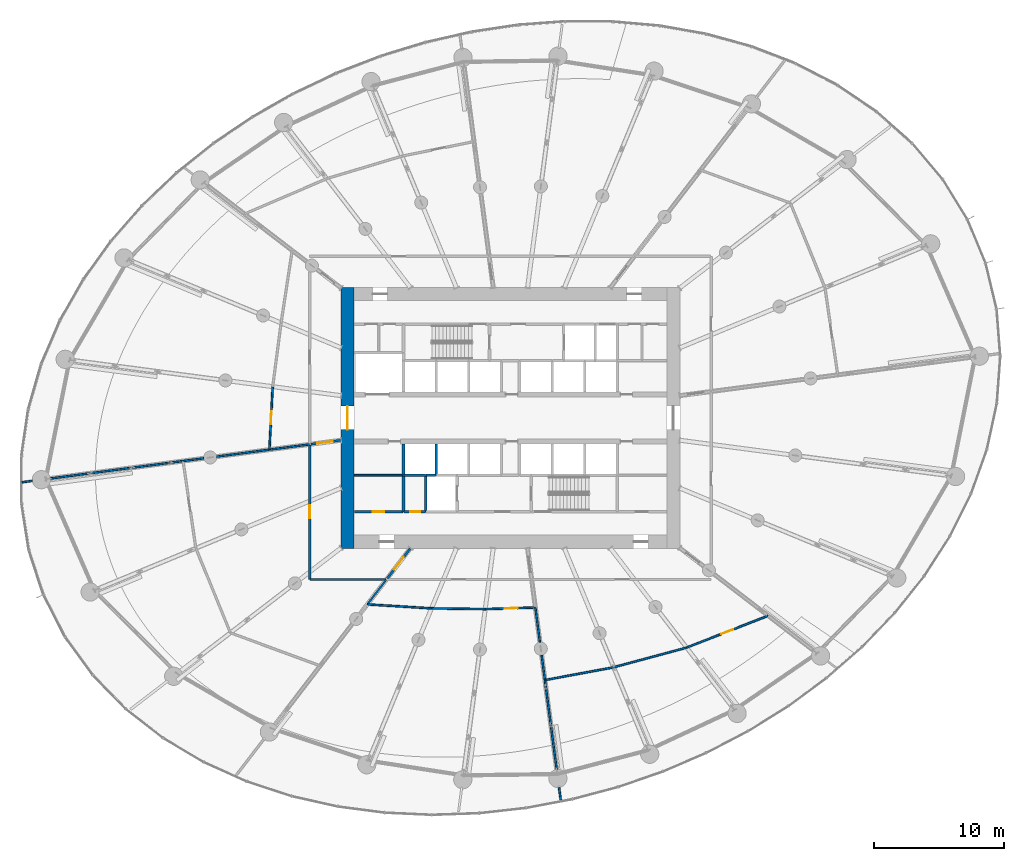
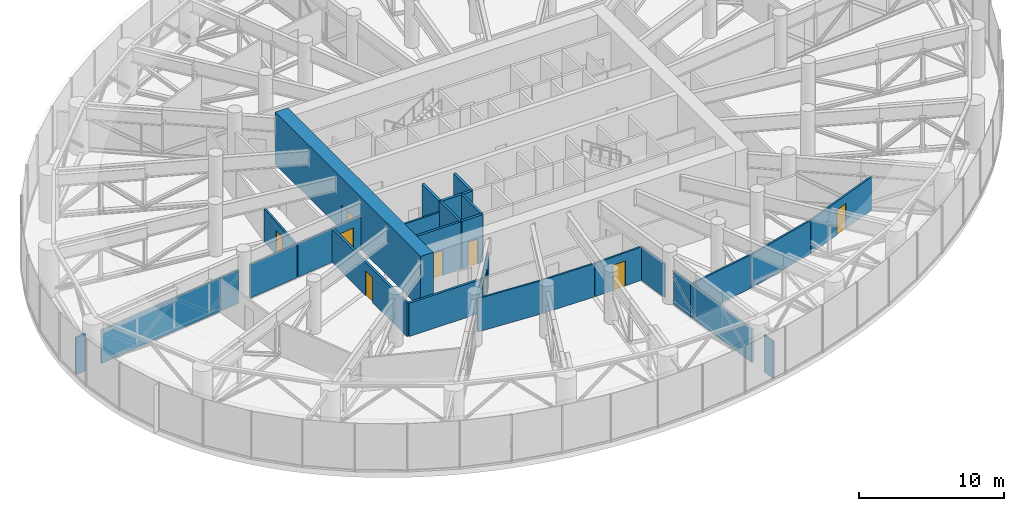
# One storey, part 21 of 42: 31 walls, 9 doors, 9 openings.
"""IFC4 building model written with IfcOpenShell, lengths in metres."""

from ifc_helpers import new_model, si_unit, direction, frame, frame_2d, origin, place, context, subcontext, project, spatial, rectangle, extrude, source, transform, mapped, material, layer, layer_set, type_object, element, fill, save


model = new_model("IFC4")

# Units and contexts
model_context = context("Model", 3, precision=1e-05, world=origin(), true_north=direction((0.0, 1.0)))
body_context = subcontext(model_context, "Body", "Model", "MODEL_VIEW")
ifc_project = project(units=[si_unit("LENGTHUNIT", "METRE"), si_unit("AREAUNIT", "SQUARE_METRE"), si_unit("VOLUMEUNIT", "CUBIC_METRE"), si_unit("PLANEANGLEUNIT", "RADIAN"), si_unit("MASSUNIT", "GRAM", prefix="KILO")], contexts=[model_context])

# Site, building, storey
site_placement = place(None, origin())
site = spatial("IfcSite", under=ifc_project, at=site_placement, CompositionType="ELEMENT")
building_placement = place(site_placement, origin())
building = spatial("IfcBuilding", under=site, at=building_placement, Name="Spindrift Exchange Tower", CompositionType="ELEMENT")
storey_placement = place(building_placement, frame((0.0, 0.0, 75.39990234375)))
storey = spatial("IfcBuildingStorey", under=building, at=storey_placement, Name="L17", CompositionType="ELEMENT", Elevation=75.39990234375)

# Wall, opening, door
ifc_material_1 = material(Name="Concrete 80 MPa", Category="concrete")
ifc_layer_1 = layer(ifc_material_1, 1.0)
ifc_layer_set_1 = layer_set([ifc_layer_1], Name="RC Core Wall 1000 Concrete 80 MPa")
wall_type_1 = type_object("IfcWallType", Name="RC Core Wall 1000 Concrete 80 MPa", PredefinedType="SHEAR", material=ifc_layer_set_1)
wall_1_placement = place(storey_placement, frame((39.5, 58.0, 0.0), z_axis=(0.0, 0.0, 1.0), x_axis=(0.0, -1.0, 0.0)))
wall_1 = element("IfcWall", 1, at=wall_1_placement, inside=storey, type_object=wall_type_1, Name="Core wall W L17", PredefinedType="SHEAR", context=body_context, shape_type="SweptSolid", body=[
    extrude(rectangle(XDim=20.0, YDim=1.0, at=frame_2d((10.0, 0.0))), origin(), (0.0, 0.0, 1.0), 4.400146484375),
])
opening_1_placement = place(wall_1_placement, frame((9.10009765625, 0.0, 0.0)))
opening_1 = element("IfcOpeningElement", 2, at=opening_1_placement, cuts=wall_1, Name="Opening L17-D1", PredefinedType="OPENING", context=body_context, shape_type="SweptSolid", body=[
    extrude(rectangle(XDim=1.800048828125, YDim=2.10009765625, at=frame_2d((0.89990234375, 1.050048828125))), frame((0.0, 0.510009765625, 0.0), z_axis=(0.0, -1.0, 0.0), x_axis=(1.0, 0.0, 0.0)), (0.0, 0.0, 1.0), 1.02001953125),
])
ifc_material_2 = material(Name="Timber-core fire door", Category="wood")
door_type_1 = type_object("IfcDoorType", Name="DR-LOBBY-1800", OperationType="NOTDEFINED", PredefinedType="DOOR", material=ifc_material_2)
shared_shape_1 = source(origin(), body_context, "Body", "SweptSolid", [
    extrude(rectangle(XDim=1.800048828125, YDim=2.10009765625, at=frame_2d((0.89990234375, 1.050048828125))), frame((0.0, 0.02490234375, 0.0), z_axis=(0.0, -1.0, 0.0), x_axis=(1.0, 0.0, 0.0)), (0.0, 0.0, 1.0), 0.050048828125),
])
door_1_placement = place(opening_1_placement, origin())
door_1 = element("IfcDoor", 3, at=door_1_placement, inside=storey, type_object=door_type_1, Name="L17 Lobby door 1", OperationType="SINGLE_SWING_RIGHT", OverallHeight=2.10009765625, OverallWidth=1.800048828125, PredefinedType="DOOR", context=body_context, shape_type="MappedRepresentation", body=[
    mapped(shared_shape_1, transform((0.0, 0.0, 0.0), scale=1.0)),
])
fill(opening_1, door_1)

ifc_material_3 = material(Name="Fire-rated plasterboard partition", Category="gypsum")
ifc_layer_2 = layer(ifc_material_3, 0.179931640625)
ifc_layer_set_2 = layer_set([ifc_layer_2], Name="W-CORR-180")
wall_type_2 = type_object("IfcWallType", Name="W-CORR-180", PredefinedType="PARTITIONING", material=ifc_layer_set_2)
wall_2_placement = place(storey_placement, frame((40.02001953125, 40.800048828125, 0.0), z_axis=(0.0, 0.0, 1.0), x_axis=(1.0, 0.0, 0.0)))
wall_2 = element("IfcWall", 4, at=wall_2_placement, inside=storey, type_object=wall_type_2, Name="L17 Partition wall 67", PredefinedType="PARTITIONING", context=body_context, shape_type="SweptSolid", body=[
    extrude(rectangle(XDim=3.75, YDim=0.179931640625, at=frame_2d((1.875, 0.0))), origin(), (0.0, 0.0, 1.0), 4.0),
])
opening_2_placement = place(wall_2_placement, frame((1.39990234375, 0.0, 0.0)))
opening_2 = element("IfcOpeningElement", 5, at=opening_2_placement, cuts=wall_2, Name="Opening L17-D42", PredefinedType="OPENING", context=body_context, shape_type="SweptSolid", body=[
    extrude(rectangle(XDim=0.89990234375, YDim=2.10009765625, at=frame_2d((0.449951171875, 1.050048828125))), frame((0.0, 0.099853515625, 0.0), z_axis=(0.0, -1.0, 0.0), x_axis=(1.0, 0.0, 0.0)), (0.0, 0.0, 1.0), 0.199951171875),
])
ifc_material_4 = material(Name="Steel access door", Category="steel")
door_type_2 = type_object("IfcDoorType", Name="DR-RISER-900", OperationType="NOTDEFINED", PredefinedType="DOOR", material=ifc_material_4)
shared_shape_2 = source(origin(), body_context, "Body", "SweptSolid", [
    extrude(rectangle(XDim=0.89990234375, YDim=2.10009765625, at=frame_2d((0.449951171875, 1.050048828125))), frame((0.0, 0.02490234375, 0.0), z_axis=(0.0, -1.0, 0.0), x_axis=(1.0, 0.0, 0.0)), (0.0, 0.0, 1.0), 0.050048828125),
])
door_2_placement = place(opening_2_placement, origin())
door_2 = element("IfcDoor", 6, at=door_2_placement, inside=storey, type_object=door_type_2, Name="L17 Riser door 42", OperationType="SINGLE_SWING_LEFT", OverallHeight=2.10009765625, OverallWidth=0.89990234375, PredefinedType="DOOR", context=body_context, shape_type="MappedRepresentation", body=[
    mapped(shared_shape_2, transform((0.0, 0.0, 0.0), scale=1.0)),
])
fill(opening_2, door_2)

ifc_layer_3 = layer(ifc_material_3, 0.179931640625)
ifc_layer_set_3 = layer_set([ifc_layer_3], Name="W-CORR-180-SOFFIT")
wall_type_3 = type_object("IfcWallType", Name="W-CORR-180-SOFFIT", PredefinedType="PARTITIONING", material=ifc_layer_set_3)
wall_3_placement = place(storey_placement, frame((42.55419921875, 35.68994140625, 0.0), z_axis=(0.0, 0.0, 1.0), x_axis=(0.608737787706, 0.793371480341, 0.0)))
wall_3 = element("IfcWall", 7, at=wall_3_placement, inside=storey, type_object=wall_type_3, Name="L17 Partition wall 71", PredefinedType="PARTITIONING", context=body_context, shape_type="SweptSolid", body=[
    extrude(rectangle(XDim=2.91162109375, YDim=0.179931640625, at=frame_2d((1.455810546875, 0.0))), origin(), (0.0, 0.0, 1.0), 2.800048828125),
])
opening_3_placement = place(wall_3_placement, frame((0.86181640625, 0.0, 0.0)))
opening_3 = element("IfcOpeningElement", 8, at=opening_3_placement, cuts=wall_3, Name="Opening L17-D36", PredefinedType="OPENING", context=body_context, shape_type="SweptSolid", body=[
    extrude(rectangle(XDim=1.199951171875, YDim=2.10009765625, at=frame_2d((0.60009765625, 1.050048828125))), frame((0.0, 0.099853515625, 0.0), z_axis=(0.0, -1.0, 0.0), x_axis=(1.0, 0.0, 0.0)), (0.0, 0.0, 1.0), 0.199951171875),
])
ifc_material_5 = material(Name="Steel fire door", Category="steel")
door_type_3 = type_object("IfcDoorType", Name="DR-PLANT-1200", OperationType="NOTDEFINED", PredefinedType="DOOR", material=ifc_material_5)
shared_shape_3 = source(origin(), body_context, "Body", "SweptSolid", [
    extrude(rectangle(XDim=1.199951171875, YDim=2.10009765625, at=frame_2d((0.60009765625, 1.050048828125))), frame((0.0, 0.02490234375, 0.0), z_axis=(0.0, -1.0, 0.0), x_axis=(1.0, 0.0, 0.0)), (0.0, 0.0, 1.0), 0.050048828125),
])
door_3_placement = place(opening_3_placement, origin())
door_3 = element("IfcDoor", 9, at=door_3_placement, inside=storey, type_object=door_type_3, Name="L17 Plant room door 36", OperationType="SINGLE_SWING_LEFT", OverallHeight=2.10009765625, OverallWidth=1.199951171875, PredefinedType="DOOR", context=body_context, shape_type="MappedRepresentation", body=[
    mapped(shared_shape_3, transform((0.0, 0.0, 0.0), scale=1.0)),
])
fill(opening_3, door_3)

wall_4_placement = place(storey_placement, frame((36.68994140625, 45.984375, 0.0), z_axis=(0.0, 0.0, 1.0), x_axis=(0.991440737811, 0.130557509967, 0.0)))
wall_4 = element("IfcWall", 10, at=wall_4_placement, inside=storey, type_object=wall_type_3, Name="L17 Partition wall 74", PredefinedType="PARTITIONING", context=body_context, shape_type="SweptSolid", body=[
    extrude(rectangle(XDim=2.330078125, YDim=0.179931640625, at=frame_2d((1.1650390625, 0.0))), origin(), (0.0, 0.0, 1.0), 2.800048828125),
])
opening_4_placement = place(wall_4_placement, frame((0.47998046875, 0.0, 0.0)))
opening_4 = element("IfcOpeningElement", 11, at=opening_4_placement, cuts=wall_4, Name="Opening L17-D35", PredefinedType="OPENING", context=body_context, shape_type="SweptSolid", body=[
    extrude(rectangle(XDim=1.199951171875, YDim=2.10009765625, at=frame_2d((0.60009765625, 1.050048828125))), frame((0.0, 0.099853515625, 0.0), z_axis=(0.0, -1.0, 0.0), x_axis=(1.0, 0.0, 0.0)), (0.0, 0.0, 1.0), 0.199951171875),
])
door_4_placement = place(opening_4_placement, origin())
door_4 = element("IfcDoor", 12, at=door_4_placement, inside=storey, type_object=door_type_3, Name="L17 Plant room door 35", OperationType="SINGLE_SWING_RIGHT", OverallHeight=2.10009765625, OverallWidth=1.199951171875, PredefinedType="DOOR", context=body_context, shape_type="MappedRepresentation", body=[
    mapped(shared_shape_3, transform((0.0, 0.0, 0.0), scale=1.0)),
])
fill(opening_4, door_4)

# Walls
ifc_layer_4 = layer(ifc_material_3, 0.139892578125)
ifc_layer_set_4 = layer_set([ifc_layer_4], Name="W-PART-140")
wall_type_4 = type_object("IfcWallType", Name="W-PART-140", PredefinedType="PARTITIONING", material=ifc_layer_set_4)
wall_5_placement = place(storey_placement, frame((43.77001953125, 43.60009765625, 0.0), z_axis=(0.0, 0.0, 1.0), x_axis=(-1.0, 0.0, 0.0)))
element("IfcWall", 13, at=wall_5_placement, inside=storey, type_object=wall_type_4, Name="L17 Partition wall 111", PredefinedType="PARTITIONING", context=body_context, shape_type="SweptSolid", body=[
    extrude(rectangle(XDim=3.75, YDim=0.139892578125, at=frame_2d((1.875, 0.0))), origin(), (0.0, 0.0, 1.0), 3.10009765625),
])
ifc_layer_5 = layer(ifc_material_3, 0.139892578125)
ifc_layer_set_5 = layer_set([ifc_layer_5], Name="W-PLANT-140")
wall_type_5 = type_object("IfcWallType", Name="W-PLANT-140", PredefinedType="PARTITIONING", material=ifc_layer_set_5)
wall_6_placement = place(storey_placement, frame((55.733642578125, 19.640380859375, 0.0), z_axis=(0.0, 0.0, 1.0), x_axis=(0.13062697631, -0.991431587685, 0.0)))
element("IfcWall", 14, at=wall_6_placement, inside=storey, type_object=wall_type_5, Name="L17 Partition wall 130", PredefinedType="PARTITIONING", context=body_context, shape_type="SweptSolid", body=[
    extrude(rectangle(XDim=0.98876953125, YDim=0.139892578125, at=frame_2d((0.494384765625, 0.0))), origin(), (0.0, 0.0, 1.0), 3.10009765625),
])
wall_7_placement = place(storey_placement, frame((15.311279296875, 43.169921875, 0.0), z_axis=(0.0, 0.0, 1.0), x_axis=(-0.991421968508, -0.130699963122, 0.0)))
element("IfcWall", 15, at=wall_7_placement, inside=storey, type_object=wall_type_5, Name="L17 Partition wall 136", PredefinedType="PARTITIONING", context=body_context, shape_type="SweptSolid", body=[
    extrude(rectangle(XDim=0.797607421875, YDim=0.139892578125, at=frame_2d((0.39892578125, 0.0))), origin(), (0.0, 0.0, 1.0), 3.10009765625),
])
ifc_layer_6 = layer(ifc_material_3, 0.139892578125)
ifc_layer_set_6 = layer_set([ifc_layer_6], Name="W-PLANT-140-SOFFIT")
wall_type_6 = type_object("IfcWallType", Name="W-PLANT-140-SOFFIT", PredefinedType="PARTITIONING", material=ifc_layer_set_6)
wall_8_placement = place(storey_placement, frame((26.885009765625, 44.693603515625, 0.0), z_axis=(0.0, 0.0, 1.0), x_axis=(-0.991445064554, -0.130524648905, 0.0)))
element("IfcWall", 16, at=wall_8_placement, inside=storey, type_object=wall_type_6, Name="L17 Partition wall 79", PredefinedType="PARTITIONING", context=body_context, shape_type="SweptSolid", body=[
    extrude(rectangle(XDim=10.26513671875, YDim=0.139892578125, at=frame_2d((5.132568359375, 0.0))), origin(), (0.0, 0.0, 1.0), 2.800048828125),
])
wall_9_placement = place(storey_placement, frame((54.648193359375, 27.884765625, 0.0), z_axis=(0.0, 0.0, 1.0), x_axis=(0.130535889274, -0.991443584684, 0.0)))
element("IfcWall", 17, at=wall_9_placement, inside=storey, type_object=wall_type_6, Name="L17 Partition wall 86", PredefinedType="PARTITIONING", context=body_context, shape_type="SweptSolid", body=[
    extrude(rectangle(XDim=6.906982421875, YDim=0.139892578125, at=frame_2d((3.45361328125, 0.0))), origin(), (0.0, 0.0, 1.0), 2.800048828125),
])

# Wall, opening, door
wall_10_placement = place(storey_placement, frame((71.777587890625, 32.823974609375, 0.0), z_axis=(0.0, 0.0, 1.0), x_axis=(-0.931368207831, -0.36407864733, 0.0)))
wall_10 = element("IfcWall", 18, at=wall_10_placement, inside=storey, type_object=wall_type_6, Name="L17 Partition wall 90", PredefinedType="PARTITIONING", context=body_context, shape_type="SweptSolid", body=[
    extrude(rectangle(XDim=6.717041015625, YDim=0.139892578125, at=frame_2d((3.3583984375, 0.0))), origin(), (0.0, 0.0, 1.0), 2.800048828125),
])
opening_5_placement = place(wall_10_placement, frame((2.8671875, 0.0, 0.0)))
opening_5 = element("IfcOpeningElement", 19, at=opening_5_placement, cuts=wall_10, Name="Opening L17-D30", PredefinedType="OPENING", context=body_context, shape_type="SweptSolid", body=[
    extrude(rectangle(XDim=1.0, YDim=2.10009765625, at=frame_2d((0.5, 1.050048828125))), frame((0.0, 0.079833984375, 0.0), z_axis=(0.0, -1.0, 0.0), x_axis=(1.0, 0.0, 0.0)), (0.0, 0.0, 1.0), 0.159912109375),
])
door_type_4 = type_object("IfcDoorType", Name="DR-ROOM-1000", OperationType="NOTDEFINED", PredefinedType="DOOR", material=ifc_material_2)
shared_shape_4 = source(origin(), body_context, "Body", "SweptSolid", [
    extrude(rectangle(XDim=1.0, YDim=2.10009765625, at=frame_2d((0.5, 1.050048828125))), frame((0.0, 0.02490234375, 0.0), z_axis=(0.0, -1.0, 0.0), x_axis=(1.0, 0.0, 0.0)), (0.0, 0.0, 1.0), 0.050048828125),
])
door_5_placement = place(opening_5_placement, origin())
door_5 = element("IfcDoor", 20, at=door_5_placement, inside=storey, type_object=door_type_4, Name="L17 Door 30", OperationType="SINGLE_SWING_LEFT", OverallHeight=2.10009765625, OverallWidth=1.0, PredefinedType="DOOR", context=body_context, shape_type="MappedRepresentation", body=[
    mapped(shared_shape_4, transform((0.0, 0.0, 0.0), scale=1.0)),
])
fill(opening_5, door_5)

# Walls
wall_11_placement = place(storey_placement, frame((59.92578125, 28.865478515625, 0.0), z_axis=(0.0, 0.0, 1.0), x_axis=(0.965338892276, 0.260999661033, 0.0)))
element("IfcWall", 21, at=wall_11_placement, inside=storey, type_object=wall_type_6, Name="L17 Partition wall 93", PredefinedType="PARTITIONING", context=body_context, shape_type="SweptSolid", body=[
    extrude(rectangle(XDim=5.766845703125, YDim=0.139892578125, at=frame_2d((2.88330078125, 0.0))), origin(), (0.0, 0.0, 1.0), 2.800048828125),
])
wall_12_placement = place(storey_placement, frame((54.677734375, 27.89013671875, 0.0), z_axis=(0.0, 0.0, 1.0), x_axis=(0.983161003838, 0.182741458164, 0.0)))
element("IfcWall", 22, at=wall_12_placement, inside=storey, type_object=wall_type_6, Name="L17 Partition wall 98", PredefinedType="PARTITIONING", context=body_context, shape_type="SweptSolid", body=[
    extrude(rectangle(XDim=5.307861328125, YDim=0.139892578125, at=frame_2d((2.65380859375, 0.0))), origin(), (0.0, 0.0, 1.0), 2.800048828125),
])
wall_13_placement = place(storey_placement, frame((41.0224609375, 33.693603515625, 0.0), z_axis=(0.0, 0.0, 1.0), x_axis=(0.998082686061, -0.061894683005, 0.0)))
element("IfcWall", 23, at=wall_13_placement, inside=storey, type_object=wall_type_6, Name="L17 Partition wall 100", PredefinedType="PARTITIONING", context=body_context, shape_type="SweptSolid", body=[
    extrude(rectangle(XDim=4.9345703125, YDim=0.139892578125, at=frame_2d((2.46728515625, 0.0))), origin(), (0.0, 0.0, 1.0), 2.800048828125),
])

# Wall, opening, door
wall_14_placement = place(storey_placement, frame((33.5087890625, 45.565673828125, 0.0), z_axis=(0.0, 0.0, 1.0), x_axis=(0.052002293209, 0.998646965399, 0.0)))
wall_14 = element("IfcWall", 24, at=wall_14_placement, inside=storey, type_object=wall_type_6, Name="L17 Partition wall 103", PredefinedType="PARTITIONING", context=body_context, shape_type="SweptSolid", body=[
    extrude(rectangle(XDim=4.812255859375, YDim=0.139892578125, at=frame_2d((2.40625, 0.0))), origin(), (0.0, 0.0, 1.0), 2.800048828125),
])
opening_6_placement = place(wall_14_placement, frame((1.962158203125, 0.0, 0.0)))
opening_6 = element("IfcOpeningElement", 25, at=opening_6_placement, cuts=wall_14, Name="Opening L17-D24", PredefinedType="OPENING", context=body_context, shape_type="SweptSolid", body=[
    extrude(rectangle(XDim=1.0, YDim=2.10009765625, at=frame_2d((0.5, 1.050048828125))), frame((0.0, 0.079833984375, 0.0), z_axis=(0.0, -1.0, 0.0), x_axis=(1.0, 0.0, 0.0)), (0.0, 0.0, 1.0), 0.159912109375),
])
door_6_placement = place(opening_6_placement, origin())
door_6 = element("IfcDoor", 26, at=door_6_placement, inside=storey, type_object=door_type_4, Name="L17 Door 24", OperationType="SINGLE_SWING_LEFT", OverallHeight=2.10009765625, OverallWidth=1.0, PredefinedType="DOOR", context=body_context, shape_type="MappedRepresentation", body=[
    mapped(shared_shape_4, transform((0.0, 0.0, 0.0), scale=1.0)),
])
fill(opening_6, door_6)

# Walls
wall_15_placement = place(storey_placement, frame((45.9775390625, 33.387939453125, 0.0), z_axis=(0.0, 0.0, 1.0), x_axis=(0.99990083992, -0.01408226999, 0.0)))
element("IfcWall", 27, at=wall_15_placement, inside=storey, type_object=wall_type_6, Name="L17 Partition wall 106", PredefinedType="PARTITIONING", context=body_context, shape_type="SweptSolid", body=[
    extrude(rectangle(XDim=4.091552734375, YDim=0.139892578125, at=frame_2d((2.0458984375, 0.0))), origin(), (0.0, 0.0, 1.0), 2.800048828125),
])
wall_16_placement = place(storey_placement, frame((33.479248046875, 45.561767578125, 0.0), z_axis=(0.0, 0.0, 1.0), x_axis=(-0.991444643615, -0.130527846248, 0.0)))
element("IfcWall", 28, at=wall_16_placement, inside=storey, type_object=wall_type_6, Name="L17 Partition wall 107", PredefinedType="PARTITIONING", context=body_context, shape_type="SweptSolid", body=[
    extrude(rectangle(XDim=4.047607421875, YDim=0.139892578125, at=frame_2d((2.02392578125, 0.0))), origin(), (0.0, 0.0, 1.0), 2.800048828125),
])

# Wall, opening, door
wall_17_placement = place(storey_placement, frame((53.9150390625, 33.45361328125, 0.0), z_axis=(0.0, 0.0, 1.0), x_axis=(-0.999486805555, -0.032033194062, 0.0)))
wall_17 = element("IfcWall", 29, at=wall_17_placement, inside=storey, type_object=wall_type_6, Name="L17 Partition wall 110", PredefinedType="PARTITIONING", context=body_context, shape_type="SweptSolid", body=[
    extrude(rectangle(XDim=3.818359375, YDim=0.139892578125, at=frame_2d((1.9091796875, 0.0))), origin(), (0.0, 0.0, 1.0), 2.800048828125),
])
opening_7_placement = place(wall_17_placement, frame((1.368408203125, 0.0, 0.0)))
opening_7 = element("IfcOpeningElement", 30, at=opening_7_placement, cuts=wall_17, Name="Opening L17-D28", PredefinedType="OPENING", context=body_context, shape_type="SweptSolid", body=[
    extrude(rectangle(XDim=1.0, YDim=2.10009765625, at=frame_2d((0.5, 1.050048828125))), frame((0.0, 0.079833984375, 0.0), z_axis=(0.0, -1.0, 0.0), x_axis=(1.0, 0.0, 0.0)), (0.0, 0.0, 1.0), 0.159912109375),
])
door_7_placement = place(opening_7_placement, origin())
door_7 = element("IfcDoor", 31, at=door_7_placement, inside=storey, type_object=door_type_4, Name="L17 Door 28", OperationType="SINGLE_SWING_LEFT", OverallHeight=2.10009765625, OverallWidth=1.0, PredefinedType="DOOR", context=body_context, shape_type="MappedRepresentation", body=[
    mapped(shared_shape_4, transform((0.0, 0.0, 0.0), scale=1.0)),
])
fill(opening_7, door_7)

# Walls
wall_18_placement = place(storey_placement, frame((36.5703125, 45.968505859375, 0.0), z_axis=(0.0, 0.0, 1.0), x_axis=(-0.991452642606, -0.130467074276, 0.0)))
element("IfcWall", 32, at=wall_18_placement, inside=storey, type_object=wall_type_6, Name="L17 Partition wall 117", PredefinedType="PARTITIONING", context=body_context, shape_type="SweptSolid", body=[
    extrude(rectangle(XDim=3.0166015625, YDim=0.139892578125, at=frame_2d((1.50830078125, 0.0))), origin(), (0.0, 0.0, 1.0), 2.800048828125),
])
wall_19_placement = place(storey_placement, frame((53.9189453125, 33.423828125, 0.0), z_axis=(0.0, 0.0, 1.0), x_axis=(0.130564152963, -0.991439863008, 0.0)))
element("IfcWall", 33, at=wall_19_placement, inside=storey, type_object=wall_type_6, Name="L17 Partition wall 120", PredefinedType="PARTITIONING", context=body_context, shape_type="SweptSolid", body=[
    extrude(rectangle(XDim=2.649658203125, YDim=0.139892578125, at=frame_2d((1.32470703125, 0.0))), origin(), (0.0, 0.0, 1.0), 2.800048828125),
])
wall_20_placement = place(storey_placement, frame((42.462890625, 35.571044921875, 0.0), z_axis=(0.0, 0.0, 1.0), x_axis=(-0.608779636854, -0.793339368589, 0.0)))
element("IfcWall", 34, at=wall_20_placement, inside=storey, type_object=wall_type_6, Name="L17 Partition wall 121", PredefinedType="PARTITIONING", context=body_context, shape_type="SweptSolid", body=[
    extrude(rectangle(XDim=2.281982421875, YDim=0.139892578125, at=frame_2d((1.14111328125, 0.0))), origin(), (0.0, 0.0, 1.0), 2.800048828125),
])
wall_21_placement = place(storey_placement, frame((54.396484375, 29.796630859375, 0.0), z_axis=(0.0, 0.0, 1.0), x_axis=(0.130521040556, -0.99144553959, 0.0)))
element("IfcWall", 35, at=wall_21_placement, inside=storey, type_object=wall_type_6, Name="L17 Partition wall 124", PredefinedType="PARTITIONING", context=body_context, shape_type="SweptSolid", body=[
    extrude(rectangle(XDim=1.898681640625, YDim=0.139892578125, at=frame_2d((0.94921875, 0.0))), origin(), (0.0, 0.0, 1.0), 2.800048828125),
])
wall_22_placement = place(storey_placement, frame((28.466064453125, 44.901611328125, 0.0), z_axis=(0.0, 0.0, 1.0), x_axis=(-0.991455357704, -0.130446439887, 0.0)))
element("IfcWall", 36, at=wall_22_placement, inside=storey, type_object=wall_type_6, Name="L17 Partition wall 128", PredefinedType="PARTITIONING", context=body_context, shape_type="SweptSolid", body=[
    extrude(rectangle(XDim=1.564697265625, YDim=0.139892578125, at=frame_2d((0.7822265625, 0.0))), origin(), (0.0, 0.0, 1.0), 2.800048828125),
])

# Wall, opening, door
ifc_layer_7 = layer(ifc_material_3, 0.179931640625)
ifc_layer_set_7 = layer_set([ifc_layer_7], Name="W-PLANT-180-SOFFIT")
wall_type_7 = type_object("IfcWallType", Name="W-PLANT-180-SOFFIT", PredefinedType="PARTITIONING", material=ifc_layer_set_7)
wall_23_placement = place(storey_placement, frame((36.60009765625, 35.60009765625, 0.0), z_axis=(0.0, 0.0, 1.0), x_axis=(0.0, 1.0, 0.0)))
wall_23 = element("IfcWall", 37, at=wall_23_placement, inside=storey, type_object=wall_type_7, Name="L17 Partition wall 63", PredefinedType="PARTITIONING", context=body_context, shape_type="SweptSolid", body=[
    extrude(rectangle(XDim=10.342529296875, YDim=0.179931640625, at=frame_2d((5.17138671875, 0.0))), origin(), (0.0, 0.0, 1.0), 2.800048828125),
])
opening_8_placement = place(wall_23_placement, frame((4.692626953125, 0.0, 0.0)))
opening_8 = element("IfcOpeningElement", 38, at=opening_8_placement, cuts=wall_23, Name="Opening L17-D25", PredefinedType="OPENING", context=body_context, shape_type="SweptSolid", body=[
    extrude(rectangle(XDim=1.0, YDim=2.10009765625, at=frame_2d((0.5, 1.050048828125))), frame((0.0, 0.099853515625, 0.0), z_axis=(0.0, -1.0, 0.0), x_axis=(1.0, 0.0, 0.0)), (0.0, 0.0, 1.0), 0.199951171875),
])
door_8_placement = place(opening_8_placement, origin())
door_8 = element("IfcDoor", 39, at=door_8_placement, inside=storey, type_object=door_type_4, Name="L17 Door 25", OperationType="SINGLE_SWING_RIGHT", OverallHeight=2.10009765625, OverallWidth=1.0, PredefinedType="DOOR", context=body_context, shape_type="MappedRepresentation", body=[
    mapped(shared_shape_4, transform((0.0, 0.0, 0.0), scale=1.0)),
])
fill(opening_8, door_8)

# Walls
wall_24_placement = place(storey_placement, frame((36.6298828125, 35.60009765625, 0.0), z_axis=(0.0, 0.0, 1.0), x_axis=(1.0, 0.0, 0.0)))
element("IfcWall", 40, at=wall_24_placement, inside=storey, type_object=wall_type_7, Name="L17 Partition wall 66", PredefinedType="PARTITIONING", context=body_context, shape_type="SweptSolid", body=[
    extrude(rectangle(XDim=5.8251953125, YDim=0.179931640625, at=frame_2d((2.91259765625, 0.0))), origin(), (0.0, 0.0, 1.0), 2.800048828125),
])
ifc_material_6 = material(Name="Concrete 40 MPa", Category="concrete")
ifc_layer_8 = layer(ifc_material_6, 0.199951171875)
ifc_layer_set_8 = layer_set([ifc_layer_8], Name="W-SHAFT-200")
wall_type_8 = type_object("IfcWallType", Name="W-SHAFT-200", PredefinedType="SOLIDWALL", material=ifc_layer_set_8)
for number, where, z_axis, x_axis, name in (
    (41, (43.800048828125, 43.60009765625, 0.0), (0.0, 0.0, 1.0), (0.0, -1.0, 0.0), "L17 Shaft wall 6"),
    (42, (45.5, 43.60009765625, 0.0), (0.0, 0.0, 1.0), (0.0, -1.0, 0.0), "L17 Shaft wall 7"),
):
    element("IfcWall", number, at=place(storey_placement, frame(where, z_axis=z_axis, x_axis=x_axis)), inside=storey, type_object=wall_type_8, Name=name, PredefinedType="SOLIDWALL", context=body_context, shape_type="SweptSolid", body=[
        extrude(rectangle(XDim=2.800048828125, YDim=0.199951171875, at=frame_2d((1.39990234375, 0.0))), origin(), (0.0, 0.0, 1.0), 4.0),
    ])
wall_25_placement = place(storey_placement, frame((43.800048828125, 45.989990234375, 0.0), z_axis=(0.0, 0.0, 1.0), x_axis=(0.0, -1.0, 0.0)))
element("IfcWall", 43, at=wall_25_placement, inside=storey, type_object=wall_type_8, Name="L17 Shaft wall 23", PredefinedType="SOLIDWALL", context=body_context, shape_type="SweptSolid", body=[
    extrude(rectangle(XDim=2.360107421875, YDim=0.199951171875, at=frame_2d((1.18017578125, 0.0))), origin(), (0.0, 0.0, 1.0), 4.0),
])
wall_26_placement = place(storey_placement, frame((46.300048828125, 43.60009765625, 0.0), z_axis=(0.0, 0.0, 1.0), x_axis=(0.0, 1.0, 0.0)))
element("IfcWall", 44, at=wall_26_placement, inside=storey, type_object=wall_type_8, Name="L17 Shaft wall 25", PredefinedType="SOLIDWALL", context=body_context, shape_type="SweptSolid", body=[
    extrude(rectangle(XDim=2.389892578125, YDim=0.199951171875, at=frame_2d((1.19482421875, 0.0))), origin(), (0.0, 0.0, 1.0), 4.0),
])
wall_27_placement = place(storey_placement, frame((43.830078125, 43.60009765625, 0.0), z_axis=(0.0, 0.0, 1.0), x_axis=(1.0, 0.0, 0.0)))
element("IfcWall", 45, at=wall_27_placement, inside=storey, type_object=wall_type_8, Name="L17 Shaft wall 40", PredefinedType="SOLIDWALL", context=body_context, shape_type="SweptSolid", body=[
    extrude(rectangle(XDim=1.639892578125, YDim=0.199951171875, at=frame_2d((0.81982421875, 0.0))), origin(), (0.0, 0.0, 1.0), 4.0),
])

# Wall, opening, door
wall_28_placement = place(storey_placement, frame((43.830078125, 40.800048828125, 0.0), z_axis=(0.0, 0.0, 1.0), x_axis=(1.0, 0.0, 0.0)))
wall_28 = element("IfcWall", 46, at=wall_28_placement, inside=storey, type_object=wall_type_8, Name="L17 Shaft wall 41", PredefinedType="SOLIDWALL", context=body_context, shape_type="SweptSolid", body=[
    extrude(rectangle(XDim=1.639892578125, YDim=0.199951171875, at=frame_2d((0.81982421875, 0.0))), origin(), (0.0, 0.0, 1.0), 4.0),
])
opening_9_placement = place(wall_28_placement, frame((0.469970703125, 0.0, 0.0)))
opening_9 = element("IfcOpeningElement", 47, at=opening_9_placement, cuts=wall_28, Name="Opening L17-D13", PredefinedType="OPENING", context=body_context, shape_type="SweptSolid", body=[
    extrude(rectangle(XDim=0.800048828125, YDim=2.10009765625, at=frame_2d((0.39990234375, 1.050048828125))), frame((0.0, 0.10986328125, 0.0), z_axis=(0.0, -1.0, 0.0), x_axis=(1.0, 0.0, 0.0)), (0.0, 0.0, 1.0), 0.219970703125),
])
door_type_5 = type_object("IfcDoorType", Name="DR-RISER-800", OperationType="NOTDEFINED", PredefinedType="DOOR", material=ifc_material_4)
shared_shape_5 = source(origin(), body_context, "Body", "SweptSolid", [
    extrude(rectangle(XDim=0.800048828125, YDim=2.10009765625, at=frame_2d((0.39990234375, 1.050048828125))), frame((0.0, 0.02490234375, 0.0), z_axis=(0.0, -1.0, 0.0), x_axis=(1.0, 0.0, 0.0)), (0.0, 0.0, 1.0), 0.050048828125),
])
door_9_placement = place(opening_9_placement, origin())
door_9 = element("IfcDoor", 48, at=door_9_placement, inside=storey, type_object=door_type_5, Name="L17 Riser door 13", OperationType="SINGLE_SWING_RIGHT", OverallHeight=2.10009765625, OverallWidth=0.800048828125, PredefinedType="DOOR", context=body_context, shape_type="MappedRepresentation", body=[
    mapped(shared_shape_5, transform((0.0, 0.0, 0.0), scale=1.0)),
])
fill(opening_9, door_9)

# Wall
wall_29_placement = place(storey_placement, frame((45.530029296875, 43.60009765625, 0.0), z_axis=(0.0, 0.0, 1.0), x_axis=(1.0, 0.0, 0.0)))
element("IfcWall", 49, at=wall_29_placement, inside=storey, type_object=wall_type_8, Name="L17 Shaft wall 54", PredefinedType="SOLIDWALL", context=body_context, shape_type="SweptSolid", body=[
    extrude(rectangle(XDim=0.739990234375, YDim=0.199951171875, at=frame_2d((0.3701171875, 0.0))), origin(), (0.0, 0.0, 1.0), 4.0),
])

save(model, "model.ifc")
